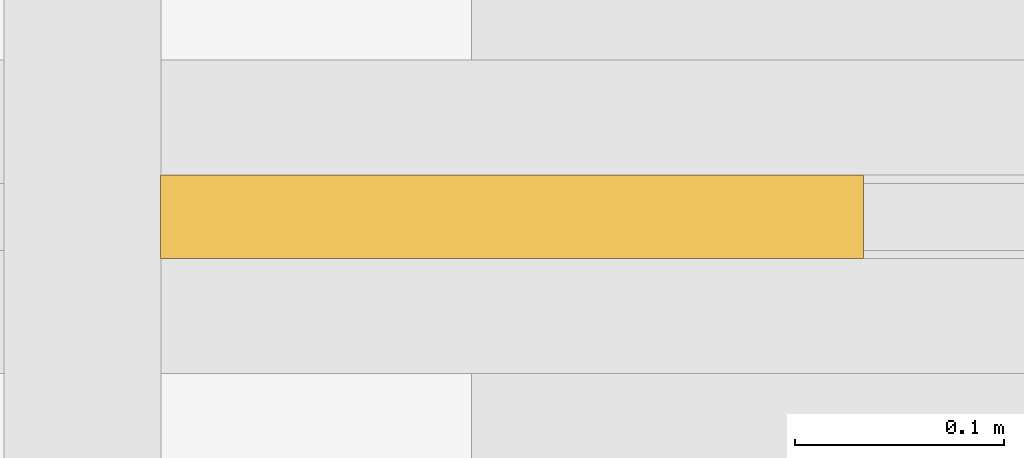
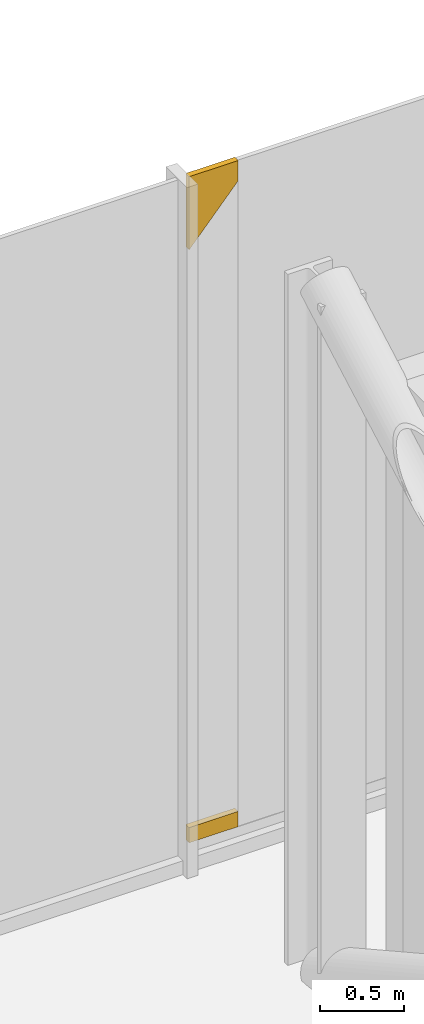
# One storey, part 27 of 28: 2 coverings.
"""IFC4 building model written with IfcOpenShell, lengths in metres."""

from ifc_helpers import new_model, si_unit, direction, frame, origin, place, context, subcontext, project, spatial, polyline, outline, extrude, material, layer, layer_set, type_object, element, save


model = new_model("IFC4")

# Units and contexts
model_context = context("Model", 3, precision=1e-05, world=origin(), true_north=direction((0.0, 1.0)))
body_context = subcontext(model_context, "Body", "Model", "MODEL_VIEW")
ifc_project = project(units=[si_unit("LENGTHUNIT", "METRE"), si_unit("AREAUNIT", "SQUARE_METRE"), si_unit("VOLUMEUNIT", "CUBIC_METRE"), si_unit("PLANEANGLEUNIT", "RADIAN"), si_unit("MASSUNIT", "GRAM", prefix="KILO")], contexts=[model_context])

# Site, building, storey
site_placement = place(None, origin())
site = spatial("IfcSite", under=ifc_project, at=site_placement, CompositionType="ELEMENT")
building_placement = place(site_placement, origin())
building = spatial("IfcBuilding", under=site, at=building_placement, Name="Malebo Sky Hospital", CompositionType="ELEMENT")
storey_placement = place(building_placement, frame((0.0, 0.0, 21.0)))
storey = spatial("IfcBuildingStorey", under=building, at=storey_placement, Name="L04", CompositionType="ELEMENT", Elevation=21.0)

# Coverings
ifc_material = material(Name="Anodised aluminium, natural silver insulated infill panel", Category="aluminium")
ifc_layer = layer(ifc_material, 0.0400390625)
ifc_layer_set = layer_set([ifc_layer], Name="BRACE INFILL PANEL 40")
covering_type = type_object("IfcCoveringType", Name="BRACE INFILL PANEL 40", PredefinedType="CLADDING", material=ifc_layer_set)
covering_1_placement = place(storey_placement, frame((15.51953125, 85.875, 0.17041015625), z_axis=(0.0, 0.0, 1.0), x_axis=(-1.0, 0.0, 0.0)))
element("IfcCovering", 1, at=covering_1_placement, inside=storey, type_object=covering_type, Name="Brace infill panel 6.3", PredefinedType="CLADDING", context=body_context, shape_type="SweptSolid", body=[
    extrude(outline(polyline([(-0.167724609375, 0.0), (0.16796875, 0.0), (0.16796875, 0.10986328125), (-0.167724609375, 0.10986328125), (-0.167724609375, 0.0)])), frame((0.0, 0.02001953125, 0.0), z_axis=(0.0, -1.0, 0.0), x_axis=(1.0, 0.0, 0.0)), (0.0, 0.0, 1.0), 0.0400390625),
])
covering_2_placement = place(storey_placement, frame((15.51953125, 85.875, 4.460205078125), z_axis=(0.0, 0.0, 1.0), x_axis=(-1.0, 0.0, 0.0)))
element("IfcCovering", 2, at=covering_2_placement, inside=storey, type_object=covering_type, Name="Brace infill panel 6.4", PredefinedType="CLADDING", context=body_context, shape_type="SweptSolid", body=[
    extrude(outline(polyline([(0.16796875, 0.0), (0.16796875, 0.52978515625), (-0.167724609375, 0.52978515625), (-0.167724609375, 0.3837890625), (0.16796875, 0.0)])), frame((0.0, 0.02001953125, 0.0), z_axis=(0.0, -1.0, 0.0), x_axis=(1.0, 0.0, 0.0)), (0.0, 0.0, 1.0), 0.0400390625),
])

save(model, "model.ifc")
